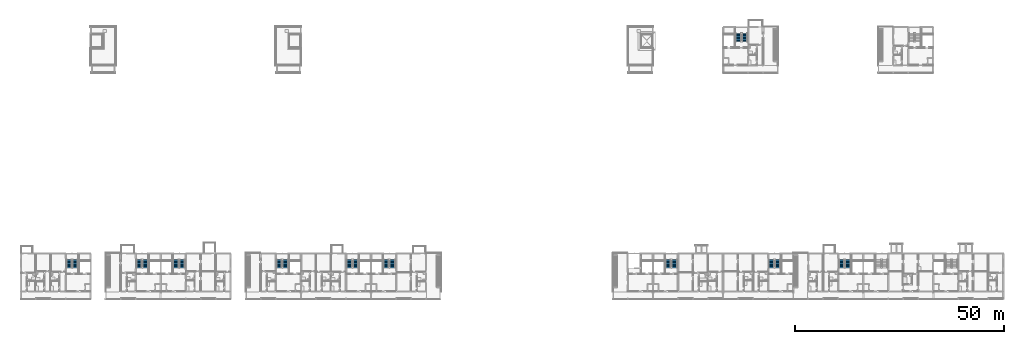
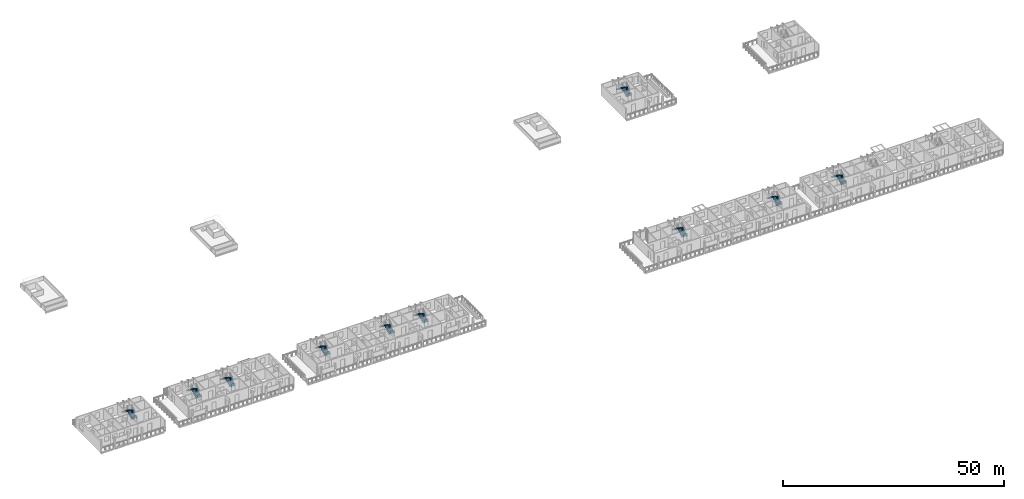
# One storey, part 43 of 64: 20 stair flights, 10 elements without a shape of their own.
"""IFC4 building model written with IfcOpenShell, lengths in metres."""

from ifc_helpers import new_model, si_unit, direction, frame, origin, place, context, subcontext, project, spatial, polyline, outline, extrude, material, type_object, element, aggregate, save


model = new_model("IFC4")

# Units and contexts
model_context = context("Model", 3, precision=1e-05, world=origin(), true_north=direction((0.0, 1.0)))
body_context = subcontext(model_context, "Body", "Model", "MODEL_VIEW")
ifc_project = project(units=[si_unit("LENGTHUNIT", "METRE"), si_unit("AREAUNIT", "SQUARE_METRE"), si_unit("VOLUMEUNIT", "CUBIC_METRE"), si_unit("PLANEANGLEUNIT", "RADIAN"), si_unit("MASSUNIT", "GRAM", prefix="KILO")], contexts=[model_context])

# Site, building, storey
site_placement = place(None, origin())
site = spatial("IfcSite", under=ifc_project, at=site_placement, CompositionType="ELEMENT")
building_placement = place(site_placement, origin())
building = spatial("IfcBuilding", under=site, at=building_placement, Name="Ridgestep Commons", CompositionType="ELEMENT")
storey_placement = place(building_placement, frame((0.0, 0.0, 33.0)))
storey = spatial("IfcBuildingStorey", under=building, at=storey_placement, Name="L11", CompositionType="ELEMENT", Elevation=33.0)

# Stair, stair flights
ifc_material_1 = material(Name="Precast concrete C40/50", Category="concrete")
stair_type = type_object("IfcStairType", Name="Escape stair 1400", PredefinedType="HALF_TURN_STAIR", material=ifc_material_1)
stair_1_placement = place(storey_placement, origin())
stair_1 = element("IfcStair", 1, at=stair_1_placement, inside=storey, type_object=stair_type, Name="L11 Escape stair A1C", PredefinedType="HALF_TURN_STAIR")
ifc_material_2 = material(Name="Precast concrete C40/50", Category="concrete")
stair_flight_type = type_object("IfcStairFlightType", Name="Stair flight 1400", PredefinedType="STRAIGHT", material=ifc_material_2)
stair_flight_1_placement = place(storey_placement, frame((25.125, 19.35009765625, 0.0), z_axis=(0.0, 0.0, 1.0), x_axis=(0.0, 1.0, 0.0)))
stair_flight_1 = element("IfcStairFlight", 2, at=stair_flight_1_placement, type_object=stair_flight_type, Name="A1C flight 1", NumberOfRisers=8, NumberOfTreads=7, PredefinedType="STRAIGHT", RiserHeight=0.1875, TreadLength=0.28, context=body_context, shape_type="SweptSolid", body=[
    extrude(outline(polyline([(0.0, 0.0), (0.0, 0.1875), (0.280029296875, 0.1875), (0.280029296875, 0.375), (0.56005859375, 0.375), (0.56005859375, 0.5625), (0.840087890625, 0.5625), (0.840087890625, 0.75), (1.1201171875, 0.75), (1.1201171875, 0.9375), (1.39990234375, 0.9375), (1.39990234375, 1.125), (1.679931640625, 1.125), (1.679931640625, 1.3125), (1.9599609375, 1.3125), (1.9599609375, 1.5), (1.9599609375, 1.132080078125), (0.26953125, 0.0), (0.0, 0.0)])), frame((0.0, 0.699951171875, 0.0), z_axis=(0.0, -1.0, 0.0), x_axis=(1.0, 0.0, 0.0)), (0.0, 0.0, 1.0), 0.695068359375),
    extrude(outline(polyline([(0.0, 0.0), (0.0, 0.1875), (0.280029296875, 0.1875), (0.280029296875, 0.375), (0.56005859375, 0.375), (0.56005859375, 0.5625), (0.840087890625, 0.5625), (0.840087890625, 0.75), (1.1201171875, 0.75), (1.1201171875, 0.9375), (1.39990234375, 0.9375), (1.39990234375, 1.125), (1.679931640625, 1.125), (1.679931640625, 1.3125), (1.9599609375, 1.3125), (1.9599609375, 1.5), (1.9599609375, 1.132080078125), (0.26953125, 0.0), (0.0, 0.0)])), frame((0.0, -0.0048828125, 0.0), z_axis=(0.0, -1.0, 0.0), x_axis=(1.0, 0.0, 0.0)), (0.0, 0.0, 1.0), 0.695068359375),
])
stair_flight_2_placement = place(storey_placement, frame((23.625, 21.31005859375, 1.5), z_axis=(0.0, 0.0, 1.0), x_axis=(0.0, -1.0, 0.0)))
stair_flight_2 = element("IfcStairFlight", 3, at=stair_flight_2_placement, type_object=stair_flight_type, Name="A1C flight 2", NumberOfRisers=8, NumberOfTreads=7, PredefinedType="STRAIGHT", RiserHeight=0.1875, TreadLength=0.28, context=body_context, shape_type="SweptSolid", body=[
    extrude(outline(polyline([(0.0, 0.0), (0.0, 0.1875), (0.280029296875, 0.1875), (0.280029296875, 0.375), (0.56005859375, 0.375), (0.56005859375, 0.5625), (0.840087890625, 0.5625), (0.840087890625, 0.75), (1.1201171875, 0.75), (1.1201171875, 0.9375), (1.39990234375, 0.9375), (1.39990234375, 1.125), (1.679931640625, 1.125), (1.679931640625, 1.3125), (1.9599609375, 1.3125), (1.9599609375, 1.5), (1.9599609375, 1.132080078125), (0.26953125, 0.0), (0.0, 0.0)])), frame((0.0, 0.699951171875, 0.0), z_axis=(0.0, -1.0, 0.0), x_axis=(1.0, 0.0, 0.0)), (0.0, 0.0, 1.0), 0.695068359375),
    extrude(outline(polyline([(0.0, 0.0), (0.0, 0.1875), (0.280029296875, 0.1875), (0.280029296875, 0.375), (0.56005859375, 0.375), (0.56005859375, 0.5625), (0.840087890625, 0.5625), (0.840087890625, 0.75), (1.1201171875, 0.75), (1.1201171875, 0.9375), (1.39990234375, 0.9375), (1.39990234375, 1.125), (1.679931640625, 1.125), (1.679931640625, 1.3125), (1.9599609375, 1.3125), (1.9599609375, 1.5), (1.9599609375, 1.132080078125), (0.26953125, 0.0), (0.0, 0.0)])), frame((0.0, -0.0048828125, 0.0), z_axis=(0.0, -1.0, 0.0), x_axis=(1.0, 0.0, 0.0)), (0.0, 0.0, 1.0), 0.695068359375),
])
aggregate(stair_1, [stair_flight_1, stair_flight_2])

stair_2_placement = place(storey_placement, origin())
stair_2 = element("IfcStair", 4, at=stair_2_placement, inside=storey, type_object=stair_type, Name="L11 Escape stair A2C", PredefinedType="HALF_TURN_STAIR")
stair_flight_3_placement = place(storey_placement, frame((41.925048828125, 19.35009765625, 0.0), z_axis=(0.0, 0.0, 1.0), x_axis=(0.0, 1.0, 0.0)))
stair_flight_3 = element("IfcStairFlight", 5, at=stair_flight_3_placement, type_object=stair_flight_type, Name="A2C flight 1", NumberOfRisers=8, NumberOfTreads=7, PredefinedType="STRAIGHT", RiserHeight=0.1875, TreadLength=0.28, context=body_context, shape_type="SweptSolid", body=[
    extrude(outline(polyline([(0.0, 0.0), (0.0, 0.1875), (0.280029296875, 0.1875), (0.280029296875, 0.375), (0.56005859375, 0.375), (0.56005859375, 0.5625), (0.840087890625, 0.5625), (0.840087890625, 0.75), (1.1201171875, 0.75), (1.1201171875, 0.9375), (1.39990234375, 0.9375), (1.39990234375, 1.125), (1.679931640625, 1.125), (1.679931640625, 1.3125), (1.9599609375, 1.3125), (1.9599609375, 1.5), (1.9599609375, 1.132080078125), (0.26953125, 0.0), (0.0, 0.0)])), frame((0.0, 0.699951171875, 0.0), z_axis=(0.0, -1.0, 0.0), x_axis=(1.0, 0.0, 0.0)), (0.0, 0.0, 1.0), 0.695068359375),
    extrude(outline(polyline([(0.0, 0.0), (0.0, 0.1875), (0.280029296875, 0.1875), (0.280029296875, 0.375), (0.56005859375, 0.375), (0.56005859375, 0.5625), (0.840087890625, 0.5625), (0.840087890625, 0.75), (1.1201171875, 0.75), (1.1201171875, 0.9375), (1.39990234375, 0.9375), (1.39990234375, 1.125), (1.679931640625, 1.125), (1.679931640625, 1.3125), (1.9599609375, 1.3125), (1.9599609375, 1.5), (1.9599609375, 1.132080078125), (0.26953125, 0.0), (0.0, 0.0)])), frame((0.0, -0.0048828125, 0.0), z_axis=(0.0, -1.0, 0.0), x_axis=(1.0, 0.0, 0.0)), (0.0, 0.0, 1.0), 0.695068359375),
])
stair_flight_4_placement = place(storey_placement, frame((40.425048828125, 21.31005859375, 1.5), z_axis=(0.0, 0.0, 1.0), x_axis=(0.0, -1.0, 0.0)))
stair_flight_4 = element("IfcStairFlight", 6, at=stair_flight_4_placement, type_object=stair_flight_type, Name="A2C flight 2", NumberOfRisers=8, NumberOfTreads=7, PredefinedType="STRAIGHT", RiserHeight=0.1875, TreadLength=0.28, context=body_context, shape_type="SweptSolid", body=[
    extrude(outline(polyline([(0.0, 0.0), (0.0, 0.1875), (0.280029296875, 0.1875), (0.280029296875, 0.375), (0.56005859375, 0.375), (0.56005859375, 0.5625), (0.840087890625, 0.5625), (0.840087890625, 0.75), (1.1201171875, 0.75), (1.1201171875, 0.9375), (1.39990234375, 0.9375), (1.39990234375, 1.125), (1.679931640625, 1.125), (1.679931640625, 1.3125), (1.9599609375, 1.3125), (1.9599609375, 1.5), (1.9599609375, 1.132080078125), (0.26953125, 0.0), (0.0, 0.0)])), frame((0.0, 0.699951171875, 0.0), z_axis=(0.0, -1.0, 0.0), x_axis=(1.0, 0.0, 0.0)), (0.0, 0.0, 1.0), 0.695068359375),
    extrude(outline(polyline([(0.0, 0.0), (0.0, 0.1875), (0.280029296875, 0.1875), (0.280029296875, 0.375), (0.56005859375, 0.375), (0.56005859375, 0.5625), (0.840087890625, 0.5625), (0.840087890625, 0.75), (1.1201171875, 0.75), (1.1201171875, 0.9375), (1.39990234375, 0.9375), (1.39990234375, 1.125), (1.679931640625, 1.125), (1.679931640625, 1.3125), (1.9599609375, 1.3125), (1.9599609375, 1.5), (1.9599609375, 1.132080078125), (0.26953125, 0.0), (0.0, 0.0)])), frame((0.0, -0.0048828125, 0.0), z_axis=(0.0, -1.0, 0.0), x_axis=(1.0, 0.0, 0.0)), (0.0, 0.0, 1.0), 0.695068359375),
])
aggregate(stair_2, [stair_flight_3, stair_flight_4])

stair_3_placement = place(storey_placement, origin())
stair_3 = element("IfcStair", 7, at=stair_3_placement, inside=storey, type_object=stair_type, Name="L11 Escape stair A3C", PredefinedType="HALF_TURN_STAIR")
stair_flight_5_placement = place(storey_placement, frame((50.77490234375, 19.35009765625, 0.0), z_axis=(0.0, 0.0, 1.0), x_axis=(0.0, 1.0, 0.0)))
stair_flight_5 = element("IfcStairFlight", 8, at=stair_flight_5_placement, type_object=stair_flight_type, Name="A3C flight 1", NumberOfRisers=8, NumberOfTreads=7, PredefinedType="STRAIGHT", RiserHeight=0.1875, TreadLength=0.28, context=body_context, shape_type="SweptSolid", body=[
    extrude(outline(polyline([(0.0, 0.0), (0.0, 0.1875), (0.280029296875, 0.1875), (0.280029296875, 0.375), (0.56005859375, 0.375), (0.56005859375, 0.5625), (0.840087890625, 0.5625), (0.840087890625, 0.75), (1.1201171875, 0.75), (1.1201171875, 0.9375), (1.39990234375, 0.9375), (1.39990234375, 1.125), (1.679931640625, 1.125), (1.679931640625, 1.3125), (1.9599609375, 1.3125), (1.9599609375, 1.5), (1.9599609375, 1.132080078125), (0.26953125, 0.0), (0.0, 0.0)])), frame((0.0, 0.699951171875, 0.0), z_axis=(0.0, -1.0, 0.0), x_axis=(1.0, 0.0, 0.0)), (0.0, 0.0, 1.0), 0.695068359375),
    extrude(outline(polyline([(0.0, 0.0), (0.0, 0.1875), (0.280029296875, 0.1875), (0.280029296875, 0.375), (0.56005859375, 0.375), (0.56005859375, 0.5625), (0.840087890625, 0.5625), (0.840087890625, 0.75), (1.1201171875, 0.75), (1.1201171875, 0.9375), (1.39990234375, 0.9375), (1.39990234375, 1.125), (1.679931640625, 1.125), (1.679931640625, 1.3125), (1.9599609375, 1.3125), (1.9599609375, 1.5), (1.9599609375, 1.132080078125), (0.26953125, 0.0), (0.0, 0.0)])), frame((0.0, -0.0048828125, 0.0), z_axis=(0.0, -1.0, 0.0), x_axis=(1.0, 0.0, 0.0)), (0.0, 0.0, 1.0), 0.695068359375),
])
stair_flight_6_placement = place(storey_placement, frame((49.27490234375, 21.31005859375, 1.5), z_axis=(0.0, 0.0, 1.0), x_axis=(0.0, -1.0, 0.0)))
stair_flight_6 = element("IfcStairFlight", 9, at=stair_flight_6_placement, type_object=stair_flight_type, Name="A3C flight 2", NumberOfRisers=8, NumberOfTreads=7, PredefinedType="STRAIGHT", RiserHeight=0.1875, TreadLength=0.28, context=body_context, shape_type="SweptSolid", body=[
    extrude(outline(polyline([(0.0, 0.0), (0.0, 0.1875), (0.280029296875, 0.1875), (0.280029296875, 0.375), (0.56005859375, 0.375), (0.56005859375, 0.5625), (0.840087890625, 0.5625), (0.840087890625, 0.75), (1.1201171875, 0.75), (1.1201171875, 0.9375), (1.39990234375, 0.9375), (1.39990234375, 1.125), (1.679931640625, 1.125), (1.679931640625, 1.3125), (1.9599609375, 1.3125), (1.9599609375, 1.5), (1.9599609375, 1.132080078125), (0.26953125, 0.0), (0.0, 0.0)])), frame((0.0, 0.699951171875, 0.0), z_axis=(0.0, -1.0, 0.0), x_axis=(1.0, 0.0, 0.0)), (0.0, 0.0, 1.0), 0.695068359375),
    extrude(outline(polyline([(0.0, 0.0), (0.0, 0.1875), (0.280029296875, 0.1875), (0.280029296875, 0.375), (0.56005859375, 0.375), (0.56005859375, 0.5625), (0.840087890625, 0.5625), (0.840087890625, 0.75), (1.1201171875, 0.75), (1.1201171875, 0.9375), (1.39990234375, 0.9375), (1.39990234375, 1.125), (1.679931640625, 1.125), (1.679931640625, 1.3125), (1.9599609375, 1.3125), (1.9599609375, 1.5), (1.9599609375, 1.132080078125), (0.26953125, 0.0), (0.0, 0.0)])), frame((0.0, -0.0048828125, 0.0), z_axis=(0.0, -1.0, 0.0), x_axis=(1.0, 0.0, 0.0)), (0.0, 0.0, 1.0), 0.695068359375),
])
aggregate(stair_3, [stair_flight_5, stair_flight_6])

stair_4_placement = place(storey_placement, origin())
stair_4 = element("IfcStair", 10, at=stair_4_placement, inside=storey, type_object=stair_type, Name="L11 Escape stair A4C", PredefinedType="HALF_TURN_STAIR")
stair_flight_7_placement = place(storey_placement, frame((75.52490234375, 19.35009765625, 0.0), z_axis=(0.0, 0.0, 1.0), x_axis=(0.0, 1.0, 0.0)))
stair_flight_7 = element("IfcStairFlight", 11, at=stair_flight_7_placement, type_object=stair_flight_type, Name="A4C flight 1", NumberOfRisers=8, NumberOfTreads=7, PredefinedType="STRAIGHT", RiserHeight=0.1875, TreadLength=0.28, context=body_context, shape_type="SweptSolid", body=[
    extrude(outline(polyline([(0.0, 0.0), (0.0, 0.1875), (0.280029296875, 0.1875), (0.280029296875, 0.375), (0.56005859375, 0.375), (0.56005859375, 0.5625), (0.840087890625, 0.5625), (0.840087890625, 0.75), (1.1201171875, 0.75), (1.1201171875, 0.9375), (1.39990234375, 0.9375), (1.39990234375, 1.125), (1.679931640625, 1.125), (1.679931640625, 1.3125), (1.9599609375, 1.3125), (1.9599609375, 1.5), (1.9599609375, 1.132080078125), (0.26953125, 0.0), (0.0, 0.0)])), frame((0.0, 0.699951171875, 0.0), z_axis=(0.0, -1.0, 0.0), x_axis=(1.0, 0.0, 0.0)), (0.0, 0.0, 1.0), 0.695068359375),
    extrude(outline(polyline([(0.0, 0.0), (0.0, 0.1875), (0.280029296875, 0.1875), (0.280029296875, 0.375), (0.56005859375, 0.375), (0.56005859375, 0.5625), (0.840087890625, 0.5625), (0.840087890625, 0.75), (1.1201171875, 0.75), (1.1201171875, 0.9375), (1.39990234375, 0.9375), (1.39990234375, 1.125), (1.679931640625, 1.125), (1.679931640625, 1.3125), (1.9599609375, 1.3125), (1.9599609375, 1.5), (1.9599609375, 1.132080078125), (0.26953125, 0.0), (0.0, 0.0)])), frame((0.0, -0.0048828125, 0.0), z_axis=(0.0, -1.0, 0.0), x_axis=(1.0, 0.0, 0.0)), (0.0, 0.0, 1.0), 0.695068359375),
])
stair_flight_8_placement = place(storey_placement, frame((74.02490234375, 21.31005859375, 1.5), z_axis=(0.0, 0.0, 1.0), x_axis=(0.0, -1.0, 0.0)))
stair_flight_8 = element("IfcStairFlight", 12, at=stair_flight_8_placement, type_object=stair_flight_type, Name="A4C flight 2", NumberOfRisers=8, NumberOfTreads=7, PredefinedType="STRAIGHT", RiserHeight=0.1875, TreadLength=0.28, context=body_context, shape_type="SweptSolid", body=[
    extrude(outline(polyline([(0.0, 0.0), (0.0, 0.1875), (0.280029296875, 0.1875), (0.280029296875, 0.375), (0.56005859375, 0.375), (0.56005859375, 0.5625), (0.840087890625, 0.5625), (0.840087890625, 0.75), (1.1201171875, 0.75), (1.1201171875, 0.9375), (1.39990234375, 0.9375), (1.39990234375, 1.125), (1.679931640625, 1.125), (1.679931640625, 1.3125), (1.9599609375, 1.3125), (1.9599609375, 1.5), (1.9599609375, 1.132080078125), (0.26953125, 0.0), (0.0, 0.0)])), frame((0.0, 0.699951171875, 0.0), z_axis=(0.0, -1.0, 0.0), x_axis=(1.0, 0.0, 0.0)), (0.0, 0.0, 1.0), 0.695068359375),
    extrude(outline(polyline([(0.0, 0.0), (0.0, 0.1875), (0.280029296875, 0.1875), (0.280029296875, 0.375), (0.56005859375, 0.375), (0.56005859375, 0.5625), (0.840087890625, 0.5625), (0.840087890625, 0.75), (1.1201171875, 0.75), (1.1201171875, 0.9375), (1.39990234375, 0.9375), (1.39990234375, 1.125), (1.679931640625, 1.125), (1.679931640625, 1.3125), (1.9599609375, 1.3125), (1.9599609375, 1.5), (1.9599609375, 1.132080078125), (0.26953125, 0.0), (0.0, 0.0)])), frame((0.0, -0.0048828125, 0.0), z_axis=(0.0, -1.0, 0.0), x_axis=(1.0, 0.0, 0.0)), (0.0, 0.0, 1.0), 0.695068359375),
])
aggregate(stair_4, [stair_flight_7, stair_flight_8])

stair_5_placement = place(storey_placement, origin())
stair_5 = element("IfcStair", 13, at=stair_5_placement, inside=storey, type_object=stair_type, Name="L11 Escape stair A5C", PredefinedType="HALF_TURN_STAIR")
stair_flight_9_placement = place(storey_placement, frame((92.324951171875, 19.35009765625, 0.0), z_axis=(0.0, 0.0, 1.0), x_axis=(0.0, 1.0, 0.0)))
stair_flight_9 = element("IfcStairFlight", 14, at=stair_flight_9_placement, type_object=stair_flight_type, Name="A5C flight 1", NumberOfRisers=8, NumberOfTreads=7, PredefinedType="STRAIGHT", RiserHeight=0.1875, TreadLength=0.28, context=body_context, shape_type="SweptSolid", body=[
    extrude(outline(polyline([(0.0, 0.0), (0.0, 0.1875), (0.280029296875, 0.1875), (0.280029296875, 0.375), (0.56005859375, 0.375), (0.56005859375, 0.5625), (0.840087890625, 0.5625), (0.840087890625, 0.75), (1.1201171875, 0.75), (1.1201171875, 0.9375), (1.39990234375, 0.9375), (1.39990234375, 1.125), (1.679931640625, 1.125), (1.679931640625, 1.3125), (1.9599609375, 1.3125), (1.9599609375, 1.5), (1.9599609375, 1.132080078125), (0.26953125, 0.0), (0.0, 0.0)])), frame((0.0, 0.699951171875, 0.0), z_axis=(0.0, -1.0, 0.0), x_axis=(1.0, 0.0, 0.0)), (0.0, 0.0, 1.0), 0.695068359375),
    extrude(outline(polyline([(0.0, 0.0), (0.0, 0.1875), (0.280029296875, 0.1875), (0.280029296875, 0.375), (0.56005859375, 0.375), (0.56005859375, 0.5625), (0.840087890625, 0.5625), (0.840087890625, 0.75), (1.1201171875, 0.75), (1.1201171875, 0.9375), (1.39990234375, 0.9375), (1.39990234375, 1.125), (1.679931640625, 1.125), (1.679931640625, 1.3125), (1.9599609375, 1.3125), (1.9599609375, 1.5), (1.9599609375, 1.132080078125), (0.26953125, 0.0), (0.0, 0.0)])), frame((0.0, -0.0048828125, 0.0), z_axis=(0.0, -1.0, 0.0), x_axis=(1.0, 0.0, 0.0)), (0.0, 0.0, 1.0), 0.695068359375),
])
stair_flight_10_placement = place(storey_placement, frame((90.824951171875, 21.31005859375, 1.5), z_axis=(0.0, 0.0, 1.0), x_axis=(0.0, -1.0, 0.0)))
stair_flight_10 = element("IfcStairFlight", 15, at=stair_flight_10_placement, type_object=stair_flight_type, Name="A5C flight 2", NumberOfRisers=8, NumberOfTreads=7, PredefinedType="STRAIGHT", RiserHeight=0.1875, TreadLength=0.28, context=body_context, shape_type="SweptSolid", body=[
    extrude(outline(polyline([(0.0, 0.0), (0.0, 0.1875), (0.280029296875, 0.1875), (0.280029296875, 0.375), (0.56005859375, 0.375), (0.56005859375, 0.5625), (0.840087890625, 0.5625), (0.840087890625, 0.75), (1.1201171875, 0.75), (1.1201171875, 0.9375), (1.39990234375, 0.9375), (1.39990234375, 1.125), (1.679931640625, 1.125), (1.679931640625, 1.3125), (1.9599609375, 1.3125), (1.9599609375, 1.5), (1.9599609375, 1.132080078125), (0.26953125, 0.0), (0.0, 0.0)])), frame((0.0, 0.699951171875, 0.0), z_axis=(0.0, -1.0, 0.0), x_axis=(1.0, 0.0, 0.0)), (0.0, 0.0, 1.0), 0.695068359375),
    extrude(outline(polyline([(0.0, 0.0), (0.0, 0.1875), (0.280029296875, 0.1875), (0.280029296875, 0.375), (0.56005859375, 0.375), (0.56005859375, 0.5625), (0.840087890625, 0.5625), (0.840087890625, 0.75), (1.1201171875, 0.75), (1.1201171875, 0.9375), (1.39990234375, 0.9375), (1.39990234375, 1.125), (1.679931640625, 1.125), (1.679931640625, 1.3125), (1.9599609375, 1.3125), (1.9599609375, 1.5), (1.9599609375, 1.132080078125), (0.26953125, 0.0), (0.0, 0.0)])), frame((0.0, -0.0048828125, 0.0), z_axis=(0.0, -1.0, 0.0), x_axis=(1.0, 0.0, 0.0)), (0.0, 0.0, 1.0), 0.695068359375),
])
aggregate(stair_5, [stair_flight_9, stair_flight_10])

stair_6_placement = place(storey_placement, origin())
stair_6 = element("IfcStair", 16, at=stair_6_placement, inside=storey, type_object=stair_type, Name="L11 Escape stair A6C", PredefinedType="HALF_TURN_STAIR")
stair_flight_11_placement = place(storey_placement, frame((101.175048828125, 19.35009765625, 0.0), z_axis=(0.0, 0.0, 1.0), x_axis=(0.0, 1.0, 0.0)))
stair_flight_11 = element("IfcStairFlight", 17, at=stair_flight_11_placement, type_object=stair_flight_type, Name="A6C flight 1", NumberOfRisers=8, NumberOfTreads=7, PredefinedType="STRAIGHT", RiserHeight=0.1875, TreadLength=0.28, context=body_context, shape_type="SweptSolid", body=[
    extrude(outline(polyline([(0.0, 0.0), (0.0, 0.1875), (0.280029296875, 0.1875), (0.280029296875, 0.375), (0.56005859375, 0.375), (0.56005859375, 0.5625), (0.840087890625, 0.5625), (0.840087890625, 0.75), (1.1201171875, 0.75), (1.1201171875, 0.9375), (1.39990234375, 0.9375), (1.39990234375, 1.125), (1.679931640625, 1.125), (1.679931640625, 1.3125), (1.9599609375, 1.3125), (1.9599609375, 1.5), (1.9599609375, 1.132080078125), (0.26953125, 0.0), (0.0, 0.0)])), frame((0.0, 0.699951171875, 0.0), z_axis=(0.0, -1.0, 0.0), x_axis=(1.0, 0.0, 0.0)), (0.0, 0.0, 1.0), 0.695068359375),
    extrude(outline(polyline([(0.0, 0.0), (0.0, 0.1875), (0.280029296875, 0.1875), (0.280029296875, 0.375), (0.56005859375, 0.375), (0.56005859375, 0.5625), (0.840087890625, 0.5625), (0.840087890625, 0.75), (1.1201171875, 0.75), (1.1201171875, 0.9375), (1.39990234375, 0.9375), (1.39990234375, 1.125), (1.679931640625, 1.125), (1.679931640625, 1.3125), (1.9599609375, 1.3125), (1.9599609375, 1.5), (1.9599609375, 1.132080078125), (0.26953125, 0.0), (0.0, 0.0)])), frame((0.0, -0.0048828125, 0.0), z_axis=(0.0, -1.0, 0.0), x_axis=(1.0, 0.0, 0.0)), (0.0, 0.0, 1.0), 0.695068359375),
])
stair_flight_12_placement = place(storey_placement, frame((99.675048828125, 21.31005859375, 1.5), z_axis=(0.0, 0.0, 1.0), x_axis=(0.0, -1.0, 0.0)))
stair_flight_12 = element("IfcStairFlight", 18, at=stair_flight_12_placement, type_object=stair_flight_type, Name="A6C flight 2", NumberOfRisers=8, NumberOfTreads=7, PredefinedType="STRAIGHT", RiserHeight=0.1875, TreadLength=0.28, context=body_context, shape_type="SweptSolid", body=[
    extrude(outline(polyline([(0.0, 0.0), (0.0, 0.1875), (0.280029296875, 0.1875), (0.280029296875, 0.375), (0.56005859375, 0.375), (0.56005859375, 0.5625), (0.840087890625, 0.5625), (0.840087890625, 0.75), (1.1201171875, 0.75), (1.1201171875, 0.9375), (1.39990234375, 0.9375), (1.39990234375, 1.125), (1.679931640625, 1.125), (1.679931640625, 1.3125), (1.9599609375, 1.3125), (1.9599609375, 1.5), (1.9599609375, 1.132080078125), (0.26953125, 0.0), (0.0, 0.0)])), frame((0.0, 0.699951171875, 0.0), z_axis=(0.0, -1.0, 0.0), x_axis=(1.0, 0.0, 0.0)), (0.0, 0.0, 1.0), 0.695068359375),
    extrude(outline(polyline([(0.0, 0.0), (0.0, 0.1875), (0.280029296875, 0.1875), (0.280029296875, 0.375), (0.56005859375, 0.375), (0.56005859375, 0.5625), (0.840087890625, 0.5625), (0.840087890625, 0.75), (1.1201171875, 0.75), (1.1201171875, 0.9375), (1.39990234375, 0.9375), (1.39990234375, 1.125), (1.679931640625, 1.125), (1.679931640625, 1.3125), (1.9599609375, 1.3125), (1.9599609375, 1.5), (1.9599609375, 1.132080078125), (0.26953125, 0.0), (0.0, 0.0)])), frame((0.0, -0.0048828125, 0.0), z_axis=(0.0, -1.0, 0.0), x_axis=(1.0, 0.0, 0.0)), (0.0, 0.0, 1.0), 0.695068359375),
])
aggregate(stair_6, [stair_flight_11, stair_flight_12])

stair_7_placement = place(storey_placement, origin())
stair_7 = element("IfcStair", 19, at=stair_7_placement, inside=storey, type_object=stair_type, Name="L11 Escape stair C3C", PredefinedType="HALF_TURN_STAIR")
stair_flight_13_placement = place(storey_placement, frame((185.574951171875, 73.60009765625, 0.0), z_axis=(0.0, 0.0, 1.0), x_axis=(0.0, 1.0, 0.0)))
stair_flight_13 = element("IfcStairFlight", 20, at=stair_flight_13_placement, type_object=stair_flight_type, Name="C3C flight 1", NumberOfRisers=8, NumberOfTreads=7, PredefinedType="STRAIGHT", RiserHeight=0.1875, TreadLength=0.28, context=body_context, shape_type="SweptSolid", body=[
    extrude(outline(polyline([(0.0, 0.0), (0.0, 0.1875), (0.280029296875, 0.1875), (0.280029296875, 0.375), (0.56005859375, 0.375), (0.56005859375, 0.5625), (0.840087890625, 0.5625), (0.840087890625, 0.75), (1.1201171875, 0.75), (1.1201171875, 0.9375), (1.39990234375, 0.9375), (1.39990234375, 1.125), (1.679931640625, 1.125), (1.679931640625, 1.3125), (1.9599609375, 1.3125), (1.9599609375, 1.5), (1.9599609375, 1.132080078125), (0.26953125, 0.0), (0.0, 0.0)])), frame((0.0, 0.699951171875, 0.0), z_axis=(0.0, -1.0, 0.0), x_axis=(1.0, 0.0, 0.0)), (0.0, 0.0, 1.0), 0.695068359375),
    extrude(outline(polyline([(0.0, 0.0), (0.0, 0.1875), (0.280029296875, 0.1875), (0.280029296875, 0.375), (0.56005859375, 0.375), (0.56005859375, 0.5625), (0.840087890625, 0.5625), (0.840087890625, 0.75), (1.1201171875, 0.75), (1.1201171875, 0.9375), (1.39990234375, 0.9375), (1.39990234375, 1.125), (1.679931640625, 1.125), (1.679931640625, 1.3125), (1.9599609375, 1.3125), (1.9599609375, 1.5), (1.9599609375, 1.132080078125), (0.26953125, 0.0), (0.0, 0.0)])), frame((0.0, -0.0048828125, 0.0), z_axis=(0.0, -1.0, 0.0), x_axis=(1.0, 0.0, 0.0)), (0.0, 0.0, 1.0), 0.695068359375),
])
stair_flight_14_placement = place(storey_placement, frame((184.074951171875, 75.56005859375, 1.5), z_axis=(0.0, 0.0, 1.0), x_axis=(0.0, -1.0, 0.0)))
stair_flight_14 = element("IfcStairFlight", 21, at=stair_flight_14_placement, type_object=stair_flight_type, Name="C3C flight 2", NumberOfRisers=8, NumberOfTreads=7, PredefinedType="STRAIGHT", RiserHeight=0.1875, TreadLength=0.28, context=body_context, shape_type="SweptSolid", body=[
    extrude(outline(polyline([(0.0, 0.0), (0.0, 0.1875), (0.280029296875, 0.1875), (0.280029296875, 0.375), (0.56005859375, 0.375), (0.56005859375, 0.5625), (0.840087890625, 0.5625), (0.840087890625, 0.75), (1.1201171875, 0.75), (1.1201171875, 0.9375), (1.39990234375, 0.9375), (1.39990234375, 1.125), (1.679931640625, 1.125), (1.679931640625, 1.3125), (1.9599609375, 1.3125), (1.9599609375, 1.5), (1.9599609375, 1.132080078125), (0.26953125, 0.0), (0.0, 0.0)])), frame((0.0, 0.699951171875, 0.0), z_axis=(0.0, -1.0, 0.0), x_axis=(1.0, 0.0, 0.0)), (0.0, 0.0, 1.0), 0.695068359375),
    extrude(outline(polyline([(0.0, 0.0), (0.0, 0.1875), (0.280029296875, 0.1875), (0.280029296875, 0.375), (0.56005859375, 0.375), (0.56005859375, 0.5625), (0.840087890625, 0.5625), (0.840087890625, 0.75), (1.1201171875, 0.75), (1.1201171875, 0.9375), (1.39990234375, 0.9375), (1.39990234375, 1.125), (1.679931640625, 1.125), (1.679931640625, 1.3125), (1.9599609375, 1.3125), (1.9599609375, 1.5), (1.9599609375, 1.132080078125), (0.26953125, 0.0), (0.0, 0.0)])), frame((0.0, -0.0048828125, 0.0), z_axis=(0.0, -1.0, 0.0), x_axis=(1.0, 0.0, 0.0)), (0.0, 0.0, 1.0), 0.695068359375),
])
aggregate(stair_7, [stair_flight_13, stair_flight_14])

stair_8_placement = place(storey_placement, origin())
stair_8 = element("IfcStair", 22, at=stair_8_placement, inside=storey, type_object=stair_type, Name="L11 Escape stair D2C", PredefinedType="HALF_TURN_STAIR")
stair_flight_15_placement = place(storey_placement, frame((168.77490234375, 19.35009765625, 0.0), z_axis=(0.0, 0.0, 1.0), x_axis=(0.0, 1.0, 0.0)))
stair_flight_15 = element("IfcStairFlight", 23, at=stair_flight_15_placement, type_object=stair_flight_type, Name="D2C flight 1", NumberOfRisers=8, NumberOfTreads=7, PredefinedType="STRAIGHT", RiserHeight=0.1875, TreadLength=0.28, context=body_context, shape_type="SweptSolid", body=[
    extrude(outline(polyline([(0.0, 0.0), (0.0, 0.1875), (0.280029296875, 0.1875), (0.280029296875, 0.375), (0.56005859375, 0.375), (0.56005859375, 0.5625), (0.840087890625, 0.5625), (0.840087890625, 0.75), (1.1201171875, 0.75), (1.1201171875, 0.9375), (1.39990234375, 0.9375), (1.39990234375, 1.125), (1.679931640625, 1.125), (1.679931640625, 1.3125), (1.9599609375, 1.3125), (1.9599609375, 1.5), (1.9599609375, 1.132080078125), (0.26953125, 0.0), (0.0, 0.0)])), frame((0.0, 0.699951171875, 0.0), z_axis=(0.0, -1.0, 0.0), x_axis=(1.0, 0.0, 0.0)), (0.0, 0.0, 1.0), 0.695068359375),
    extrude(outline(polyline([(0.0, 0.0), (0.0, 0.1875), (0.280029296875, 0.1875), (0.280029296875, 0.375), (0.56005859375, 0.375), (0.56005859375, 0.5625), (0.840087890625, 0.5625), (0.840087890625, 0.75), (1.1201171875, 0.75), (1.1201171875, 0.9375), (1.39990234375, 0.9375), (1.39990234375, 1.125), (1.679931640625, 1.125), (1.679931640625, 1.3125), (1.9599609375, 1.3125), (1.9599609375, 1.5), (1.9599609375, 1.132080078125), (0.26953125, 0.0), (0.0, 0.0)])), frame((0.0, -0.0048828125, 0.0), z_axis=(0.0, -1.0, 0.0), x_axis=(1.0, 0.0, 0.0)), (0.0, 0.0, 1.0), 0.695068359375),
])
stair_flight_16_placement = place(storey_placement, frame((167.27490234375, 21.31005859375, 1.5), z_axis=(0.0, 0.0, 1.0), x_axis=(0.0, -1.0, 0.0)))
stair_flight_16 = element("IfcStairFlight", 24, at=stair_flight_16_placement, type_object=stair_flight_type, Name="D2C flight 2", NumberOfRisers=8, NumberOfTreads=7, PredefinedType="STRAIGHT", RiserHeight=0.1875, TreadLength=0.28, context=body_context, shape_type="SweptSolid", body=[
    extrude(outline(polyline([(0.0, 0.0), (0.0, 0.1875), (0.280029296875, 0.1875), (0.280029296875, 0.375), (0.56005859375, 0.375), (0.56005859375, 0.5625), (0.840087890625, 0.5625), (0.840087890625, 0.75), (1.1201171875, 0.75), (1.1201171875, 0.9375), (1.39990234375, 0.9375), (1.39990234375, 1.125), (1.679931640625, 1.125), (1.679931640625, 1.3125), (1.9599609375, 1.3125), (1.9599609375, 1.5), (1.9599609375, 1.132080078125), (0.26953125, 0.0), (0.0, 0.0)])), frame((0.0, 0.699951171875, 0.0), z_axis=(0.0, -1.0, 0.0), x_axis=(1.0, 0.0, 0.0)), (0.0, 0.0, 1.0), 0.695068359375),
    extrude(outline(polyline([(0.0, 0.0), (0.0, 0.1875), (0.280029296875, 0.1875), (0.280029296875, 0.375), (0.56005859375, 0.375), (0.56005859375, 0.5625), (0.840087890625, 0.5625), (0.840087890625, 0.75), (1.1201171875, 0.75), (1.1201171875, 0.9375), (1.39990234375, 0.9375), (1.39990234375, 1.125), (1.679931640625, 1.125), (1.679931640625, 1.3125), (1.9599609375, 1.3125), (1.9599609375, 1.5), (1.9599609375, 1.132080078125), (0.26953125, 0.0), (0.0, 0.0)])), frame((0.0, -0.0048828125, 0.0), z_axis=(0.0, -1.0, 0.0), x_axis=(1.0, 0.0, 0.0)), (0.0, 0.0, 1.0), 0.695068359375),
])
aggregate(stair_8, [stair_flight_15, stair_flight_16])

stair_9_placement = place(storey_placement, origin())
stair_9 = element("IfcStair", 25, at=stair_9_placement, inside=storey, type_object=stair_type, Name="L11 Escape stair D3C", PredefinedType="HALF_TURN_STAIR")
stair_flight_17_placement = place(storey_placement, frame((193.52490234375, 19.35009765625, 0.0), z_axis=(0.0, 0.0, 1.0), x_axis=(0.0, 1.0, 0.0)))
stair_flight_17 = element("IfcStairFlight", 26, at=stair_flight_17_placement, type_object=stair_flight_type, Name="D3C flight 1", NumberOfRisers=8, NumberOfTreads=7, PredefinedType="STRAIGHT", RiserHeight=0.1875, TreadLength=0.28, context=body_context, shape_type="SweptSolid", body=[
    extrude(outline(polyline([(0.0, 0.0), (0.0, 0.1875), (0.280029296875, 0.1875), (0.280029296875, 0.375), (0.56005859375, 0.375), (0.56005859375, 0.5625), (0.840087890625, 0.5625), (0.840087890625, 0.75), (1.1201171875, 0.75), (1.1201171875, 0.9375), (1.39990234375, 0.9375), (1.39990234375, 1.125), (1.679931640625, 1.125), (1.679931640625, 1.3125), (1.9599609375, 1.3125), (1.9599609375, 1.5), (1.9599609375, 1.132080078125), (0.26953125, 0.0), (0.0, 0.0)])), frame((0.0, 0.699951171875, 0.0), z_axis=(0.0, -1.0, 0.0), x_axis=(1.0, 0.0, 0.0)), (0.0, 0.0, 1.0), 0.695068359375),
    extrude(outline(polyline([(0.0, 0.0), (0.0, 0.1875), (0.280029296875, 0.1875), (0.280029296875, 0.375), (0.56005859375, 0.375), (0.56005859375, 0.5625), (0.840087890625, 0.5625), (0.840087890625, 0.75), (1.1201171875, 0.75), (1.1201171875, 0.9375), (1.39990234375, 0.9375), (1.39990234375, 1.125), (1.679931640625, 1.125), (1.679931640625, 1.3125), (1.9599609375, 1.3125), (1.9599609375, 1.5), (1.9599609375, 1.132080078125), (0.26953125, 0.0), (0.0, 0.0)])), frame((0.0, -0.0048828125, 0.0), z_axis=(0.0, -1.0, 0.0), x_axis=(1.0, 0.0, 0.0)), (0.0, 0.0, 1.0), 0.695068359375),
])
stair_flight_18_placement = place(storey_placement, frame((192.02490234375, 21.31005859375, 1.5), z_axis=(0.0, 0.0, 1.0), x_axis=(0.0, -1.0, 0.0)))
stair_flight_18 = element("IfcStairFlight", 27, at=stair_flight_18_placement, type_object=stair_flight_type, Name="D3C flight 2", NumberOfRisers=8, NumberOfTreads=7, PredefinedType="STRAIGHT", RiserHeight=0.1875, TreadLength=0.28, context=body_context, shape_type="SweptSolid", body=[
    extrude(outline(polyline([(0.0, 0.0), (0.0, 0.1875), (0.280029296875, 0.1875), (0.280029296875, 0.375), (0.56005859375, 0.375), (0.56005859375, 0.5625), (0.840087890625, 0.5625), (0.840087890625, 0.75), (1.1201171875, 0.75), (1.1201171875, 0.9375), (1.39990234375, 0.9375), (1.39990234375, 1.125), (1.679931640625, 1.125), (1.679931640625, 1.3125), (1.9599609375, 1.3125), (1.9599609375, 1.5), (1.9599609375, 1.132080078125), (0.26953125, 0.0), (0.0, 0.0)])), frame((0.0, 0.699951171875, 0.0), z_axis=(0.0, -1.0, 0.0), x_axis=(1.0, 0.0, 0.0)), (0.0, 0.0, 1.0), 0.695068359375),
    extrude(outline(polyline([(0.0, 0.0), (0.0, 0.1875), (0.280029296875, 0.1875), (0.280029296875, 0.375), (0.56005859375, 0.375), (0.56005859375, 0.5625), (0.840087890625, 0.5625), (0.840087890625, 0.75), (1.1201171875, 0.75), (1.1201171875, 0.9375), (1.39990234375, 0.9375), (1.39990234375, 1.125), (1.679931640625, 1.125), (1.679931640625, 1.3125), (1.9599609375, 1.3125), (1.9599609375, 1.5), (1.9599609375, 1.132080078125), (0.26953125, 0.0), (0.0, 0.0)])), frame((0.0, -0.0048828125, 0.0), z_axis=(0.0, -1.0, 0.0), x_axis=(1.0, 0.0, 0.0)), (0.0, 0.0, 1.0), 0.695068359375),
])
aggregate(stair_9, [stair_flight_17, stair_flight_18])

stair_10_placement = place(storey_placement, origin())
stair_10 = element("IfcStair", 28, at=stair_10_placement, inside=storey, type_object=stair_type, Name="L11 Escape stair D4C", PredefinedType="HALF_TURN_STAIR")
stair_flight_19_placement = place(storey_placement, frame((210.324951171875, 19.35009765625, 0.0), z_axis=(0.0, 0.0, 1.0), x_axis=(0.0, 1.0, 0.0)))
stair_flight_19 = element("IfcStairFlight", 29, at=stair_flight_19_placement, type_object=stair_flight_type, Name="D4C flight 1", NumberOfRisers=8, NumberOfTreads=7, PredefinedType="STRAIGHT", RiserHeight=0.1875, TreadLength=0.28, context=body_context, shape_type="SweptSolid", body=[
    extrude(outline(polyline([(0.0, 0.0), (0.0, 0.1875), (0.280029296875, 0.1875), (0.280029296875, 0.375), (0.56005859375, 0.375), (0.56005859375, 0.5625), (0.840087890625, 0.5625), (0.840087890625, 0.75), (1.1201171875, 0.75), (1.1201171875, 0.9375), (1.39990234375, 0.9375), (1.39990234375, 1.125), (1.679931640625, 1.125), (1.679931640625, 1.3125), (1.9599609375, 1.3125), (1.9599609375, 1.5), (1.9599609375, 1.132080078125), (0.26953125, 0.0), (0.0, 0.0)])), frame((0.0, 0.699951171875, 0.0), z_axis=(0.0, -1.0, 0.0), x_axis=(1.0, 0.0, 0.0)), (0.0, 0.0, 1.0), 0.695068359375),
    extrude(outline(polyline([(0.0, 0.0), (0.0, 0.1875), (0.280029296875, 0.1875), (0.280029296875, 0.375), (0.56005859375, 0.375), (0.56005859375, 0.5625), (0.840087890625, 0.5625), (0.840087890625, 0.75), (1.1201171875, 0.75), (1.1201171875, 0.9375), (1.39990234375, 0.9375), (1.39990234375, 1.125), (1.679931640625, 1.125), (1.679931640625, 1.3125), (1.9599609375, 1.3125), (1.9599609375, 1.5), (1.9599609375, 1.132080078125), (0.26953125, 0.0), (0.0, 0.0)])), frame((0.0, -0.0048828125, 0.0), z_axis=(0.0, -1.0, 0.0), x_axis=(1.0, 0.0, 0.0)), (0.0, 0.0, 1.0), 0.695068359375),
])
stair_flight_20_placement = place(storey_placement, frame((208.824951171875, 21.31005859375, 1.5), z_axis=(0.0, 0.0, 1.0), x_axis=(0.0, -1.0, 0.0)))
stair_flight_20 = element("IfcStairFlight", 30, at=stair_flight_20_placement, type_object=stair_flight_type, Name="D4C flight 2", NumberOfRisers=8, NumberOfTreads=7, PredefinedType="STRAIGHT", RiserHeight=0.1875, TreadLength=0.28, context=body_context, shape_type="SweptSolid", body=[
    extrude(outline(polyline([(0.0, 0.0), (0.0, 0.1875), (0.280029296875, 0.1875), (0.280029296875, 0.375), (0.56005859375, 0.375), (0.56005859375, 0.5625), (0.840087890625, 0.5625), (0.840087890625, 0.75), (1.1201171875, 0.75), (1.1201171875, 0.9375), (1.39990234375, 0.9375), (1.39990234375, 1.125), (1.679931640625, 1.125), (1.679931640625, 1.3125), (1.9599609375, 1.3125), (1.9599609375, 1.5), (1.9599609375, 1.132080078125), (0.26953125, 0.0), (0.0, 0.0)])), frame((0.0, 0.699951171875, 0.0), z_axis=(0.0, -1.0, 0.0), x_axis=(1.0, 0.0, 0.0)), (0.0, 0.0, 1.0), 0.695068359375),
    extrude(outline(polyline([(0.0, 0.0), (0.0, 0.1875), (0.280029296875, 0.1875), (0.280029296875, 0.375), (0.56005859375, 0.375), (0.56005859375, 0.5625), (0.840087890625, 0.5625), (0.840087890625, 0.75), (1.1201171875, 0.75), (1.1201171875, 0.9375), (1.39990234375, 0.9375), (1.39990234375, 1.125), (1.679931640625, 1.125), (1.679931640625, 1.3125), (1.9599609375, 1.3125), (1.9599609375, 1.5), (1.9599609375, 1.132080078125), (0.26953125, 0.0), (0.0, 0.0)])), frame((0.0, -0.0048828125, 0.0), z_axis=(0.0, -1.0, 0.0), x_axis=(1.0, 0.0, 0.0)), (0.0, 0.0, 1.0), 0.695068359375),
])
aggregate(stair_10, [stair_flight_19, stair_flight_20])

save(model, "model.ifc")
